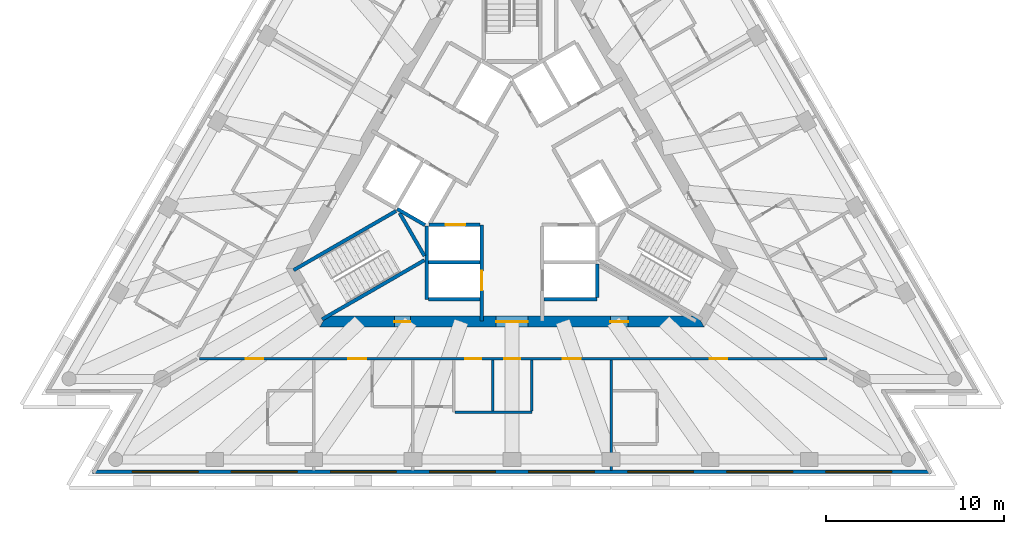
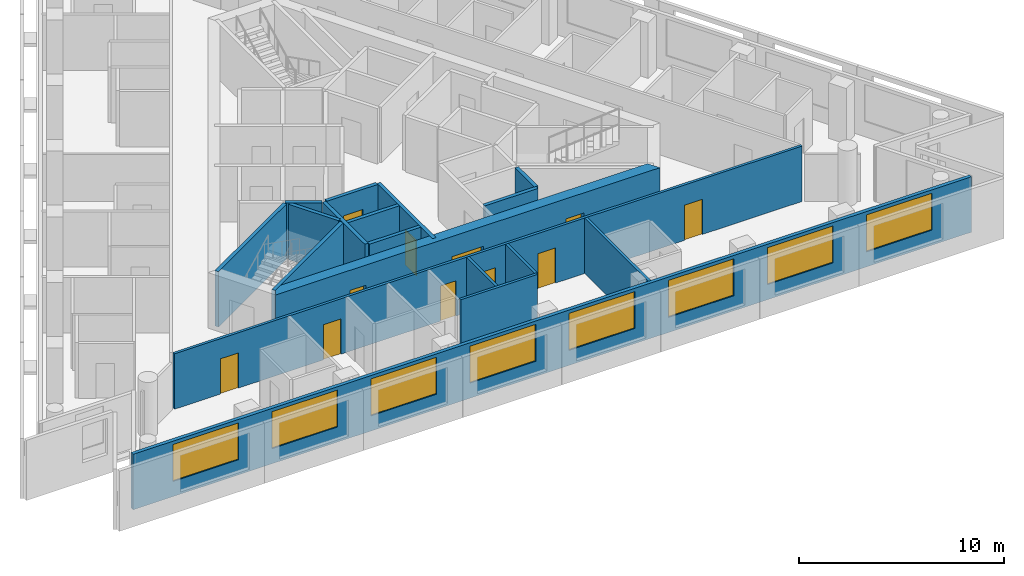
# One storey, part 3 of 10: 18 walls, 11 doors, 8 windows, 19 openings.
"""IFC4 building model written with IfcOpenShell, lengths in metres."""

from ifc_helpers import new_model, si_unit, direction, frame, frame_2d, origin, place, context, subcontext, project, spatial, polyline, rectangle, outline, extrude, material, layer, layer_set, layer_usage, type_object, element, fill, save


model = new_model("IFC4")

# Units and contexts
model_context = context("Model", 3, precision=1e-05, world=origin(), true_north=direction((0.0, 1.0)))
body_context = subcontext(model_context, "Body", "Model", "MODEL_VIEW")
ifc_project = project(units=[si_unit("LENGTHUNIT", "METRE"), si_unit("AREAUNIT", "SQUARE_METRE"), si_unit("VOLUMEUNIT", "CUBIC_METRE"), si_unit("PLANEANGLEUNIT", "RADIAN"), si_unit("MASSUNIT", "GRAM", prefix="KILO")], contexts=[model_context])

# Site, building, storey
site_placement = place(None, origin())
site = spatial("IfcSite", under=ifc_project, at=site_placement, CompositionType="ELEMENT")
building_placement = place(site_placement, origin())
building = spatial("IfcBuilding", under=site, at=building_placement, Name="Triada Interchange Tower", CompositionType="ELEMENT")
storey_placement = place(building_placement, frame((0.0, 0.0, 268.300048828125)))
storey = spatial("IfcBuildingStorey", under=building, at=storey_placement, Name="L62", CompositionType="ELEMENT", Elevation=268.300048828125)

# Walls
ifc_material_1 = material(Name="Concrete C30/37", Category="concrete")
ifc_layer_1 = layer(ifc_material_1, 0.199951171875)
ifc_layer_set_1 = layer_set([ifc_layer_1], Name="CORE WALL 200 EI 120")
wall_type_1 = type_object("IfcWallType", Name="CORE WALL 200 EI 120", PredefinedType="SOLIDWALL", material=ifc_layer_set_1)
wall_1_placement = place(storey_placement, frame((-4.800048828125, -6.89990234375, 0.0), z_axis=(0.0, 0.0, 1.0), x_axis=(0.0, 1.0, 0.0)))
element("IfcWall", 1, at=wall_1_placement, inside=storey, type_object=wall_type_1, Name="Wall L62 68", PredefinedType="SOLIDWALL", context=body_context, shape_type="SweptSolid", body=[
    extrude(rectangle(XDim=4.130859375, YDim=0.199951171875, at=frame_2d((2.0654296875, 0.0))), origin(), (0.0, 0.0, 1.0), 3.300048828125),
])
wall_2_placement = place(storey_placement, frame((-4.699951171875, -6.89990234375, 0.0), z_axis=(0.0, 0.0, 1.0), x_axis=(1.0, 0.0, 0.0)))
element("IfcWall", 2, at=wall_2_placement, inside=storey, type_object=wall_type_1, Name="Wall L62 69", PredefinedType="SOLIDWALL", context=body_context, shape_type="SweptSolid", body=[
    extrude(rectangle(XDim=2.89990234375, YDim=0.199951171875, at=frame_2d((1.449951171875, 0.0))), origin(), (0.0, 0.0, 1.0), 3.300048828125),
])
wall_3_placement = place(storey_placement, frame((1.800048828125, -6.89990234375, 0.0), z_axis=(0.0, 0.0, 1.0), x_axis=(1.0, 0.0, 0.0)))
element("IfcWall", 3, at=wall_3_placement, inside=storey, type_object=wall_type_1, Name="Wall L62 70", PredefinedType="SOLIDWALL", context=body_context, shape_type="SweptSolid", body=[
    extrude(rectangle(XDim=3.0, YDim=0.199951171875, at=frame_2d((1.5, 0.0))), origin(), (0.0, 0.0, 1.0), 3.300048828125),
])
wall_4_placement = place(storey_placement, frame((-4.699951171875, -4.800048828125, 0.0), z_axis=(0.0, 0.0, 1.0), x_axis=(1.0, 0.0, 0.0)))
element("IfcWall", 4, at=wall_4_placement, inside=storey, type_object=wall_type_1, Name="Wall L62 71", PredefinedType="SOLIDWALL", context=body_context, shape_type="SweptSolid", body=[
    extrude(rectangle(XDim=2.89990234375, YDim=0.199951171875, at=frame_2d((1.449951171875, 0.0))), origin(), (0.0, 0.0, 1.0), 3.300048828125),
])

# Wall, opening, door
wall_5_placement = place(storey_placement, frame((-1.699951171875, -8.1298828125, 0.0), z_axis=(0.0, 0.0, 1.0), x_axis=(0.0, 1.0, 0.0)))
wall_5 = element("IfcWall", 5, at=wall_5_placement, inside=storey, type_object=wall_type_1, Name="Wall L62 73", PredefinedType="SOLIDWALL", context=body_context, shape_type="SweptSolid", body=[
    extrude(rectangle(XDim=5.427001953125, YDim=0.199951171875, at=frame_2d((2.71337890625, 0.0))), origin(), (0.0, 0.0, 1.0), 3.300048828125),
])
opening_1_placement = place(wall_5_placement, frame((1.72998046875, 0.0, 0.0)))
opening_1 = element("IfcOpeningElement", 6, at=opening_1_placement, cuts=wall_5, Name="Opening LD-HR4", PredefinedType="OPENING", context=body_context, shape_type="SweptSolid", body=[
    extrude(rectangle(XDim=1.10009765625, YDim=2.10009765625, at=frame_2d((0.550048828125, 1.050048828125))), frame((0.0, 0.10986328125, 0.0), z_axis=(0.0, -1.0, 0.0), x_axis=(1.0, 0.0, 0.0)), (0.0, 0.0, 1.0), 0.219970703125),
])
ifc_material_2 = material(Name="Steel S235 door leaf", Category="steel")
door_type_1 = type_object("IfcDoorType", Name="LIFT LANDING DOOR 1100 EI 120", OperationType="SLIDING_TO_LEFT", PredefinedType="DOOR", material=ifc_material_2)
door_1_placement = place(opening_1_placement, origin())
door_1 = element("IfcDoor", 7, at=door_1_placement, inside=storey, type_object=door_type_1, Name="HR4 landing door L62", OperationType="SLIDING_TO_LEFT", OverallHeight=2.10009765625, OverallWidth=1.10009765625, PredefinedType="DOOR", context=body_context, shape_type="SweptSolid", body=[
    extrude(rectangle(XDim=1.10009765625, YDim=2.10009765625, at=frame_2d((0.550048828125, 1.050048828125))), frame((0.0, 0.02490234375, 0.0), z_axis=(0.0, -1.0, 0.0), x_axis=(1.0, 0.0, 0.0)), (0.0, 0.0, 1.0), 0.050048828125),
])
fill(opening_1, door_1)

wall_6_placement = place(storey_placement, frame((-4.676025390625, -2.699951171875, 0.0), z_axis=(0.0, 0.0, 1.0), x_axis=(1.0, 0.0, 0.0)))
wall_6 = element("IfcWall", 8, at=wall_6_placement, inside=storey, type_object=wall_type_1, Name="Wall L62 74", PredefinedType="SOLIDWALL", context=body_context, shape_type="SweptSolid", body=[
    extrude(rectangle(XDim=2.873046875, YDim=0.199951171875, at=frame_2d((1.4365234375, 0.0))), origin(), (0.0, 0.0, 1.0), 3.300048828125),
])
opening_2_placement = place(wall_6_placement, frame((0.93701171875, 0.0, 0.0)))
opening_2 = element("IfcOpeningElement", 9, at=opening_2_placement, cuts=wall_6, Name="Opening LD-HR3", PredefinedType="OPENING", context=body_context, shape_type="SweptSolid", body=[
    extrude(rectangle(XDim=1.10009765625, YDim=2.10009765625, at=frame_2d((0.550048828125, 1.050048828125))), frame((0.0, 0.10986328125, 0.0), z_axis=(0.0, -1.0, 0.0), x_axis=(1.0, 0.0, 0.0)), (0.0, 0.0, 1.0), 0.219970703125),
])
door_2_placement = place(opening_2_placement, origin())
door_2 = element("IfcDoor", 10, at=door_2_placement, inside=storey, type_object=door_type_1, Name="HR3 landing door L62", OperationType="SLIDING_TO_LEFT", OverallHeight=2.10009765625, OverallWidth=1.10009765625, PredefinedType="DOOR", context=body_context, shape_type="SweptSolid", body=[
    extrude(rectangle(XDim=1.10009765625, YDim=2.10009765625, at=frame_2d((0.550048828125, 1.050048828125))), frame((0.0, 0.02490234375, 0.0), z_axis=(0.0, -1.0, 0.0), x_axis=(1.0, 0.0, 0.0)), (0.0, 0.0, 1.0), 0.050048828125),
])
fill(opening_2, door_2)

# Walls
wall_7_placement = place(storey_placement, frame((4.800048828125, -6.800048828125, 0.0), z_axis=(0.0, 0.0, 1.0), x_axis=(0.0, 1.0, 0.0)))
element("IfcWall", 11, at=wall_7_placement, inside=storey, type_object=wall_type_1, Name="Wall L62 81", PredefinedType="SOLIDWALL", context=body_context, shape_type="SweptSolid", body=[
    extrude(rectangle(XDim=1.880126953125, YDim=0.199951171875, at=frame_2d((0.93994140625, 0.0))), origin(), (0.0, 0.0, 1.0), 3.300048828125),
])
ifc_layer_2 = layer(ifc_material_1, 0.199951171875)
ifc_layer_set_2 = layer_set([ifc_layer_2], Name="CORE WALL 200 EI 180")
wall_type_2 = type_object("IfcWallType", Name="CORE WALL 200 EI 180", PredefinedType="SOLIDWALL", material=ifc_layer_set_2)
wall_8_placement = place(storey_placement, frame((-6.469970703125, -1.806884765625, 0.0), z_axis=(0.0, 0.0, 1.0), x_axis=(0.865883195159, -0.500246231712, 0.0)))
element("IfcWall", 12, at=wall_8_placement, inside=storey, type_object=wall_type_2, Name="Shaft wall FF1 L62 100", PredefinedType="SOLIDWALL", context=body_context, shape_type="SweptSolid", body=[
    extrude(rectangle(XDim=1.8154296875, YDim=0.199951171875, at=frame_2d((0.90771484375, 0.0))), origin(), (0.0, 0.0, 1.0), 3.300048828125),
])
ifc_layer_3 = layer(ifc_material_1, 0.199951171875)
ifc_layer_set_3 = layer_set([ifc_layer_3], Name="CORE WALL 200 REI 240")
wall_type_3 = type_object("IfcWallType", Name="CORE WALL 200 REI 240", PredefinedType="SOLIDWALL", material=ifc_layer_set_3)
wall_9_placement = place(storey_placement, frame((-12.301025390625, -5.25390625, 0.0), z_axis=(0.0, 0.0, 1.0), x_axis=(0.866068467981, 0.499925403204, 0.0)))
element("IfcWall", 13, at=wall_9_placement, inside=storey, type_object=wall_type_3, Name="Wall L62 112", PredefinedType="SOLIDWALL", context=body_context, shape_type="SweptSolid", body=[
    extrude(rectangle(XDim=6.66455078125, YDim=0.199951171875, at=frame_2d((3.332275390625, 0.0))), origin(), (0.0, 0.0, 1.0), 3.300048828125),
])
wall_10_placement = place(storey_placement, frame((-6.3291015625, -2.0380859375, 0.0), z_axis=(0.0, 0.0, 1.0), x_axis=(0.500200581029, -0.865909567298, 0.0)))
element("IfcWall", 14, at=wall_10_placement, inside=storey, type_object=wall_type_3, Name="Wall L62 113", PredefinedType="SOLIDWALL", context=body_context, shape_type="SweptSolid", body=[
    extrude(rectangle(XDim=2.799072265625, YDim=0.199951171875, at=frame_2d((1.3994140625, 0.0))), origin(), (0.0, 0.0, 1.0), 3.300048828125),
])
wall_11_placement = place(storey_placement, frame((-10.700927734375, -8.02587890625, 0.0), z_axis=(0.0, 0.0, 1.0), x_axis=(0.866005022404, 0.500035299925, 0.0)))
element("IfcWall", 15, at=wall_11_placement, inside=storey, type_object=wall_type_3, Name="Wall L62 114", PredefinedType="SOLIDWALL", context=body_context, shape_type="SweptSolid", body=[
    extrude(rectangle(XDim=6.6650390625, YDim=0.199951171875, at=frame_2d((3.33251953125, 0.0))), origin(), (0.0, 0.0, 1.0), 3.300048828125),
])

# Wall, openings, doors
ifc_material_3 = material(Name="Concrete C40/50", Category="concrete")
ifc_layer_4 = layer(ifc_material_3, 0.60009765625)
ifc_layer_set_4 = layer_set([ifc_layer_4], Name="Core wall D 600")
wall_type_4 = type_object("IfcWallType", Name="Core wall D 600", PredefinedType="SHEAR", material=ifc_layer_set_4)
wall_12_placement = place(storey_placement, frame((-10.652099609375, -8.14990234375, -0.300048828125), z_axis=(0.0, 0.0, 1.0), x_axis=(1.0, 0.0, 0.0)))
wall_12 = element("IfcWall", 16, at=wall_12_placement, inside=storey, type_object=wall_type_4, Name="Core wall WD04 L62", PredefinedType="SHEAR", context=body_context, shape_type="SweptSolid", body=[
    extrude(outline(polyline([(-0.173095703125, -0.300048828125), (1.795166015625, -0.300048828125), (3.76318359375, -0.300048828125), (5.7314453125, -0.300048828125), (7.69970703125, -0.300048828125), (9.66796875, -0.300048828125), (11.635986328125, -0.300048828125), (13.604248046875, -0.300048828125), (15.572509765625, -0.300048828125), (17.540771484375, -0.300048828125), (19.5087890625, -0.300048828125), (21.47705078125, -0.300048828125), (21.131103515625, 0.300048828125), (19.225830078125, 0.300048828125), (17.320556640625, 0.300048828125), (15.415283203125, 0.300048828125), (13.510009765625, 0.300048828125), (11.604736328125, 0.300048828125), (9.699462890625, 0.300048828125), (7.794189453125, 0.300048828125), (5.888916015625, 0.300048828125), (3.983642578125, 0.300048828125), (2.078369140625, 0.300048828125), (0.173095703125, 0.300048828125), (-0.173095703125, -0.300048828125)])), origin(), (0.0, 0.0, 1.0), 3.60009765625),
])
opening_3_placement = place(wall_12_placement, frame((9.751953125, 0.0, 0.300048828125)))
opening_3 = element("IfcOpeningElement", 17, at=opening_3_placement, cuts=wall_12, Name="Opening D62-47", PredefinedType="OPENING", context=body_context, shape_type="SweptSolid", body=[
    extrude(rectangle(XDim=1.800048828125, YDim=2.10009765625, at=frame_2d((0.89990234375, 1.050048828125))), frame((0.0, 0.31005859375, 0.0), z_axis=(0.0, -1.0, 0.0), x_axis=(1.0, 0.0, 0.0)), (0.0, 0.0, 1.0), 0.6201171875),
])
opening_4_placement = place(wall_12_placement, frame((4.02587890625, 0.0, 0.300048828125)))
opening_4 = element("IfcOpeningElement", 18, at=opening_4_placement, cuts=wall_12, Name="Opening D62-53", PredefinedType="OPENING", context=body_context, shape_type="SweptSolid", body=[
    extrude(rectangle(XDim=0.89990234375, YDim=2.10009765625, at=frame_2d((0.449951171875, 1.050048828125))), frame((0.0, 0.31005859375, 0.0), z_axis=(0.0, -1.0, 0.0), x_axis=(1.0, 0.0, 0.0)), (0.0, 0.0, 1.0), 0.6201171875),
])
opening_5_placement = place(wall_12_placement, frame((16.197998046875, 0.0, 0.300048828125)))
opening_5 = element("IfcOpeningElement", 19, at=opening_5_placement, cuts=wall_12, Name="Opening D62-56", PredefinedType="OPENING", context=body_context, shape_type="SweptSolid", body=[
    extrude(rectangle(XDim=1.0, YDim=2.10009765625, at=frame_2d((0.5, 1.050048828125))), frame((0.0, 0.31005859375, 0.0), z_axis=(0.0, -1.0, 0.0), x_axis=(1.0, 0.0, 0.0)), (0.0, 0.0, 1.0), 0.6201171875),
])
door_type_2 = type_object("IfcDoorType", Name="LOBBY DOOR 1800 EI2 90-C5S200", OperationType="DOUBLE_DOOR_SINGLE_SWING", PredefinedType="DOOR", material=ifc_material_2)
door_3_placement = place(opening_3_placement, origin())
door_3 = element("IfcDoor", 20, at=door_3_placement, inside=storey, type_object=door_type_2, Name="Door D62-47 L62", OperationType="DOUBLE_DOOR_SINGLE_SWING", OverallHeight=2.10009765625, OverallWidth=1.800048828125, PredefinedType="DOOR", context=body_context, shape_type="SweptSolid", body=[
    extrude(rectangle(XDim=1.800048828125, YDim=2.10009765625, at=frame_2d((0.89990234375, 1.050048828125))), frame((0.0, 0.02490234375, 0.0), z_axis=(0.0, -1.0, 0.0), x_axis=(1.0, 0.0, 0.0)), (0.0, 0.0, 1.0), 0.050048828125),
])
fill(opening_3, door_3)
door_type_3 = type_object("IfcDoorType", Name="SERVICE DOOR 1000 EI2 45-C5S200", OperationType="NOTDEFINED", PredefinedType="DOOR", material=ifc_material_2)
door_4_placement = place(opening_5_placement, origin())
door_4 = element("IfcDoor", 21, at=door_4_placement, inside=storey, type_object=door_type_3, Name="Door D62-56 L62", OperationType="SINGLE_SWING_RIGHT", OverallHeight=2.10009765625, OverallWidth=1.0, PredefinedType="DOOR", context=body_context, shape_type="SweptSolid", body=[
    extrude(rectangle(XDim=1.0, YDim=2.10009765625, at=frame_2d((0.5, 1.050048828125))), frame((0.0, 0.02490234375, 0.0), z_axis=(0.0, -1.0, 0.0), x_axis=(1.0, 0.0, 0.0)), (0.0, 0.0, 1.0), 0.050048828125),
])
fill(opening_5, door_4)
door_type_4 = type_object("IfcDoorType", Name="SERVICE DOOR 900 EI2 45-C5S200", OperationType="NOTDEFINED", PredefinedType="DOOR", material=ifc_material_2)
door_5_placement = place(opening_4_placement, origin())
door_5 = element("IfcDoor", 22, at=door_5_placement, inside=storey, type_object=door_type_4, Name="Door D62-53 L62", OperationType="SINGLE_SWING_RIGHT", OverallHeight=2.10009765625, OverallWidth=0.89990234375, PredefinedType="DOOR", context=body_context, shape_type="SweptSolid", body=[
    extrude(rectangle(XDim=0.89990234375, YDim=2.10009765625, at=frame_2d((0.449951171875, 1.050048828125))), frame((0.0, 0.02490234375, 0.0), z_axis=(0.0, -1.0, 0.0), x_axis=(1.0, 0.0, 0.0)), (0.0, 0.0, 1.0), 0.050048828125),
])
fill(opening_4, door_5)

# Wall, openings, windows
ifc_material_4 = material(Name="Cement board")
ifc_layer_5 = layer(ifc_material_4, 0.02001953125, Name="Cement board cladding")
ifc_material_5 = material(Name="Sheathing board")
ifc_layer_6 = layer(ifc_material_5, 0.014892578125, Name="Sheathing board")
ifc_material_6 = material(Name="Mineral wool")
ifc_layer_7 = layer(ifc_material_6, 0.14990234375, Name="Mineral wool between steel studs")
ifc_material_7 = material(Name="Gypsum board")
ifc_layer_8 = layer(ifc_material_7, 0.014892578125, Name="Plasterboard lining")
ifc_layer_set_5 = layer_set([ifc_layer_5, ifc_layer_6, ifc_layer_7, ifc_layer_8], Name="External wall 200")
ifc_layer_usage = layer_usage(ifc_layer_set_5, "AXIS2", "POSITIVE", -0.10009765625)
wall_type_5 = type_object("IfcWallType", Name="External wall 200", PredefinedType="ELEMENTEDWALL", material=ifc_layer_set_5)
wall_13_placement = place(storey_placement, frame((-23.62890625, -16.616943359375, 0.0), z_axis=(0.0, 0.0, 1.0), x_axis=(1.0, 0.0, 0.0)))
wall_13 = element("IfcWall", 23, at=wall_13_placement, inside=storey, type_object=wall_type_5, material=ifc_layer_usage, Name="External wall L62 S", PredefinedType="ELEMENTEDWALL", context=body_context, shape_type="SweptSolid", body=[
    extrude(rectangle(XDim=47.23779296875, YDim=0.199951171875, at=frame_2d((23.618896484375, 0.0))), origin(), (0.0, 0.0, 1.0), 3.300048828125),
])
opening_6_placement = place(wall_13_placement, frame((2.243896484375, 0.0, 0.89990234375)))
opening_6 = element("IfcOpeningElement", 24, at=opening_6_placement, cuts=wall_13, Name="Opening WD11", PredefinedType="OPENING", context=body_context, shape_type="SweptSolid", body=[
    extrude(rectangle(XDim=3.699951171875, YDim=2.199951171875, at=frame_2d((1.85009765625, 1.10009765625))), frame((0.0, 0.10986328125, 0.0), z_axis=(0.0, -1.0, 0.0), x_axis=(1.0, 0.0, 0.0)), (0.0, 0.0, 1.0), 0.219970703125),
])
opening_7_placement = place(wall_13_placement, frame((7.824951171875, 0.0, 0.89990234375)))
opening_7 = element("IfcOpeningElement", 25, at=opening_7_placement, cuts=wall_13, Name="Opening WD12", PredefinedType="OPENING", context=body_context, shape_type="SweptSolid", body=[
    extrude(rectangle(XDim=3.699951171875, YDim=2.199951171875, at=frame_2d((1.85009765625, 1.10009765625))), frame((0.0, 0.10986328125, 0.0), z_axis=(0.0, -1.0, 0.0), x_axis=(1.0, 0.0, 0.0)), (0.0, 0.0, 1.0), 0.219970703125),
])
opening_8_placement = place(wall_13_placement, frame((13.406982421875, 0.0, 0.89990234375)))
opening_8 = element("IfcOpeningElement", 26, at=opening_8_placement, cuts=wall_13, Name="Opening WD13", PredefinedType="OPENING", context=body_context, shape_type="SweptSolid", body=[
    extrude(rectangle(XDim=3.699951171875, YDim=2.199951171875, at=frame_2d((1.85009765625, 1.10009765625))), frame((0.0, 0.10986328125, 0.0), z_axis=(0.0, -1.0, 0.0), x_axis=(1.0, 0.0, 0.0)), (0.0, 0.0, 1.0), 0.219970703125),
])
opening_9_placement = place(wall_13_placement, frame((18.988037109375, 0.0, 0.89990234375)))
opening_9 = element("IfcOpeningElement", 27, at=opening_9_placement, cuts=wall_13, Name="Opening WD14", PredefinedType="OPENING", context=body_context, shape_type="SweptSolid", body=[
    extrude(rectangle(XDim=3.699951171875, YDim=2.199951171875, at=frame_2d((1.85009765625, 1.10009765625))), frame((0.0, 0.10986328125, 0.0), z_axis=(0.0, -1.0, 0.0), x_axis=(1.0, 0.0, 0.0)), (0.0, 0.0, 1.0), 0.219970703125),
])
opening_10_placement = place(wall_13_placement, frame((24.570068359375, 0.0, 0.89990234375)))
opening_10 = element("IfcOpeningElement", 28, at=opening_10_placement, cuts=wall_13, Name="Opening WD15", PredefinedType="OPENING", context=body_context, shape_type="SweptSolid", body=[
    extrude(rectangle(XDim=3.699951171875, YDim=2.199951171875, at=frame_2d((1.85009765625, 1.10009765625))), frame((0.0, 0.10986328125, 0.0), z_axis=(0.0, -1.0, 0.0), x_axis=(1.0, 0.0, 0.0)), (0.0, 0.0, 1.0), 0.219970703125),
])
opening_11_placement = place(wall_13_placement, frame((30.15087890625, 0.0, 0.89990234375)))
opening_11 = element("IfcOpeningElement", 29, at=opening_11_placement, cuts=wall_13, Name="Opening WD16", PredefinedType="OPENING", context=body_context, shape_type="SweptSolid", body=[
    extrude(rectangle(XDim=3.699951171875, YDim=2.199951171875, at=frame_2d((1.85009765625, 1.10009765625))), frame((0.0, 0.10986328125, 0.0), z_axis=(0.0, -1.0, 0.0), x_axis=(1.0, 0.0, 0.0)), (0.0, 0.0, 1.0), 0.219970703125),
])
opening_12_placement = place(wall_13_placement, frame((35.73291015625, 0.0, 0.89990234375)))
opening_12 = element("IfcOpeningElement", 30, at=opening_12_placement, cuts=wall_13, Name="Opening WD17", PredefinedType="OPENING", context=body_context, shape_type="SweptSolid", body=[
    extrude(rectangle(XDim=3.699951171875, YDim=2.199951171875, at=frame_2d((1.85009765625, 1.10009765625))), frame((0.0, 0.10986328125, 0.0), z_axis=(0.0, -1.0, 0.0), x_axis=(1.0, 0.0, 0.0)), (0.0, 0.0, 1.0), 0.219970703125),
])
opening_13_placement = place(wall_13_placement, frame((41.31396484375, 0.0, 0.89990234375)))
opening_13 = element("IfcOpeningElement", 31, at=opening_13_placement, cuts=wall_13, Name="Opening WD18", PredefinedType="OPENING", context=body_context, shape_type="SweptSolid", body=[
    extrude(rectangle(XDim=3.699951171875, YDim=2.199951171875, at=frame_2d((1.85009765625, 1.10009765625))), frame((0.0, 0.10986328125, 0.0), z_axis=(0.0, -1.0, 0.0), x_axis=(1.0, 0.0, 0.0)), (0.0, 0.0, 1.0), 0.219970703125),
])
ifc_material_8 = material(Name="Double glazed aluminium window", Category="aluminium")
window_type = type_object("IfcWindowType", Name="Ribbon window D face", PartitioningType="SINGLE_PANEL", PredefinedType="WINDOW", material=ifc_material_8)
window_1_placement = place(opening_6_placement, origin())
window_1 = element("IfcWindow", 32, at=window_1_placement, inside=storey, type_object=window_type, Name="Window L62 S 1", OverallHeight=2.199951171875, OverallWidth=3.699951171875, PartitioningType="SINGLE_PANEL", PredefinedType="WINDOW", context=body_context, shape_type="SweptSolid", body=[
    extrude(rectangle(XDim=3.699951171875, YDim=2.199951171875, at=frame_2d((1.85009765625, 1.10009765625))), frame((0.0, 0.030029296875, 0.0), z_axis=(0.0, -1.0, 0.0), x_axis=(1.0, 0.0, 0.0)), (0.0, 0.0, 1.0), 0.06005859375),
])
fill(opening_6, window_1)
window_2_placement = place(opening_7_placement, origin())
window_2 = element("IfcWindow", 33, at=window_2_placement, inside=storey, type_object=window_type, Name="Window L62 S 2", OverallHeight=2.199951171875, OverallWidth=3.699951171875, PartitioningType="SINGLE_PANEL", PredefinedType="WINDOW", context=body_context, shape_type="SweptSolid", body=[
    extrude(rectangle(XDim=3.699951171875, YDim=2.199951171875, at=frame_2d((1.85009765625, 1.10009765625))), frame((0.0, 0.030029296875, 0.0), z_axis=(0.0, -1.0, 0.0), x_axis=(1.0, 0.0, 0.0)), (0.0, 0.0, 1.0), 0.06005859375),
])
fill(opening_7, window_2)
window_3_placement = place(opening_8_placement, origin())
window_3 = element("IfcWindow", 34, at=window_3_placement, inside=storey, type_object=window_type, Name="Window L62 S 3", OverallHeight=2.199951171875, OverallWidth=3.699951171875, PartitioningType="SINGLE_PANEL", PredefinedType="WINDOW", context=body_context, shape_type="SweptSolid", body=[
    extrude(rectangle(XDim=3.699951171875, YDim=2.199951171875, at=frame_2d((1.85009765625, 1.10009765625))), frame((0.0, 0.030029296875, 0.0), z_axis=(0.0, -1.0, 0.0), x_axis=(1.0, 0.0, 0.0)), (0.0, 0.0, 1.0), 0.06005859375),
])
fill(opening_8, window_3)
window_4_placement = place(opening_9_placement, origin())
window_4 = element("IfcWindow", 35, at=window_4_placement, inside=storey, type_object=window_type, Name="Window L62 S 4", OverallHeight=2.199951171875, OverallWidth=3.699951171875, PartitioningType="SINGLE_PANEL", PredefinedType="WINDOW", context=body_context, shape_type="SweptSolid", body=[
    extrude(rectangle(XDim=3.699951171875, YDim=2.199951171875, at=frame_2d((1.85009765625, 1.10009765625))), frame((0.0, 0.030029296875, 0.0), z_axis=(0.0, -1.0, 0.0), x_axis=(1.0, 0.0, 0.0)), (0.0, 0.0, 1.0), 0.06005859375),
])
fill(opening_9, window_4)
window_5_placement = place(opening_10_placement, origin())
window_5 = element("IfcWindow", 36, at=window_5_placement, inside=storey, type_object=window_type, Name="Window L62 S 5", OverallHeight=2.199951171875, OverallWidth=3.699951171875, PartitioningType="SINGLE_PANEL", PredefinedType="WINDOW", context=body_context, shape_type="SweptSolid", body=[
    extrude(rectangle(XDim=3.699951171875, YDim=2.199951171875, at=frame_2d((1.85009765625, 1.10009765625))), frame((0.0, 0.030029296875, 0.0), z_axis=(0.0, -1.0, 0.0), x_axis=(1.0, 0.0, 0.0)), (0.0, 0.0, 1.0), 0.06005859375),
])
fill(opening_10, window_5)
window_6_placement = place(opening_11_placement, origin())
window_6 = element("IfcWindow", 37, at=window_6_placement, inside=storey, type_object=window_type, Name="Window L62 S 6", OverallHeight=2.199951171875, OverallWidth=3.699951171875, PartitioningType="SINGLE_PANEL", PredefinedType="WINDOW", context=body_context, shape_type="SweptSolid", body=[
    extrude(rectangle(XDim=3.699951171875, YDim=2.199951171875, at=frame_2d((1.85009765625, 1.10009765625))), frame((0.0, 0.030029296875, 0.0), z_axis=(0.0, -1.0, 0.0), x_axis=(1.0, 0.0, 0.0)), (0.0, 0.0, 1.0), 0.06005859375),
])
fill(opening_11, window_6)
window_7_placement = place(opening_12_placement, origin())
window_7 = element("IfcWindow", 38, at=window_7_placement, inside=storey, type_object=window_type, Name="Window L62 S 7", OverallHeight=2.199951171875, OverallWidth=3.699951171875, PartitioningType="SINGLE_PANEL", PredefinedType="WINDOW", context=body_context, shape_type="SweptSolid", body=[
    extrude(rectangle(XDim=3.699951171875, YDim=2.199951171875, at=frame_2d((1.85009765625, 1.10009765625))), frame((0.0, 0.030029296875, 0.0), z_axis=(0.0, -1.0, 0.0), x_axis=(1.0, 0.0, 0.0)), (0.0, 0.0, 1.0), 0.06005859375),
])
fill(opening_12, window_7)
window_8_placement = place(opening_13_placement, origin())
window_8 = element("IfcWindow", 39, at=window_8_placement, inside=storey, type_object=window_type, Name="Window L62 S 8", OverallHeight=2.199951171875, OverallWidth=3.699951171875, PartitioningType="SINGLE_PANEL", PredefinedType="WINDOW", context=body_context, shape_type="SweptSolid", body=[
    extrude(rectangle(XDim=3.699951171875, YDim=2.199951171875, at=frame_2d((1.85009765625, 1.10009765625))), frame((0.0, 0.030029296875, 0.0), z_axis=(0.0, -1.0, 0.0), x_axis=(1.0, 0.0, 0.0)), (0.0, 0.0, 1.0), 0.06005859375),
])
fill(opening_13, window_8)

# Wall, openings, doors
ifc_material_9 = material(Name="Gypsum board partition")
ifc_layer_9 = layer(ifc_material_9, 0.14990234375)
ifc_layer_set_6 = layer_set([ifc_layer_9], Name="PARTITION 150 EI 180")
wall_type_6 = type_object("IfcWallType", Name="PARTITION 150 EI 180", PredefinedType="PARTITIONING", material=ifc_layer_set_6)
wall_14_placement = place(storey_placement, frame((-17.60400390625, -10.25, 0.0), z_axis=(0.0, 0.0, 1.0), x_axis=(1.0, 0.0, 0.0)))
wall_14 = element("IfcWall", 40, at=wall_14_placement, inside=storey, type_object=wall_type_6, Name="Wall L62 5", PredefinedType="PARTITIONING", context=body_context, shape_type="SweptSolid", body=[
    extrude(rectangle(XDim=35.35791015625, YDim=0.14990234375, at=frame_2d((17.678955078125, 0.0))), origin(), (0.0, 0.0, 1.0), 3.300048828125),
])
opening_14_placement = place(wall_14_placement, frame((2.60009765625, 0.0, 0.0)))
opening_14 = element("IfcOpeningElement", 41, at=opening_14_placement, cuts=wall_14, Name="Opening D62-11", PredefinedType="OPENING", context=body_context, shape_type="SweptSolid", body=[
    extrude(rectangle(XDim=1.0, YDim=2.10009765625, at=frame_2d((0.5, 1.050048828125))), frame((0.0, 0.0849609375, 0.0), z_axis=(0.0, -1.0, 0.0), x_axis=(1.0, 0.0, 0.0)), (0.0, 0.0, 1.0), 0.169921875),
])
opening_15_placement = place(wall_14_placement, frame((8.39111328125, 0.0, 0.0)))
opening_15 = element("IfcOpeningElement", 42, at=opening_15_placement, cuts=wall_14, Name="Opening D62-13", PredefinedType="OPENING", context=body_context, shape_type="SweptSolid", body=[
    extrude(rectangle(XDim=1.0, YDim=2.10009765625, at=frame_2d((0.5, 1.050048828125))), frame((0.0, 0.0849609375, 0.0), z_axis=(0.0, -1.0, 0.0), x_axis=(1.0, 0.0, 0.0)), (0.0, 0.0, 1.0), 0.169921875),
])
opening_16_placement = place(wall_14_placement, frame((20.472900390625, 0.0, 0.0)))
opening_16 = element("IfcOpeningElement", 43, at=opening_16_placement, cuts=wall_14, Name="Opening D62-15", PredefinedType="OPENING", context=body_context, shape_type="SweptSolid", body=[
    extrude(rectangle(XDim=1.0, YDim=2.10009765625, at=frame_2d((0.5, 1.050048828125))), frame((0.0, 0.0849609375, 0.0), z_axis=(0.0, -1.0, 0.0), x_axis=(1.0, 0.0, 0.0)), (0.0, 0.0, 1.0), 0.169921875),
])
opening_17_placement = place(wall_14_placement, frame((14.972900390625, 0.0, 0.0)))
opening_17 = element("IfcOpeningElement", 44, at=opening_17_placement, cuts=wall_14, Name="Opening D62-17", PredefinedType="OPENING", context=body_context, shape_type="SweptSolid", body=[
    extrude(rectangle(XDim=0.89990234375, YDim=2.10009765625, at=frame_2d((0.449951171875, 1.050048828125))), frame((0.0, 0.0849609375, 0.0), z_axis=(0.0, -1.0, 0.0), x_axis=(1.0, 0.0, 0.0)), (0.0, 0.0, 1.0), 0.169921875),
])
opening_18_placement = place(wall_14_placement, frame((17.173095703125, 0.0, 0.0)))
opening_18 = element("IfcOpeningElement", 45, at=opening_18_placement, cuts=wall_14, Name="Opening D62-18", PredefinedType="OPENING", context=body_context, shape_type="SweptSolid", body=[
    extrude(rectangle(XDim=0.89990234375, YDim=2.10009765625, at=frame_2d((0.449951171875, 1.050048828125))), frame((0.0, 0.0849609375, 0.0), z_axis=(0.0, -1.0, 0.0), x_axis=(1.0, 0.0, 0.0)), (0.0, 0.0, 1.0), 0.169921875),
])
opening_19_placement = place(wall_14_placement, frame((28.735107421875, 0.0, 0.0)))
opening_19 = element("IfcOpeningElement", 46, at=opening_19_placement, cuts=wall_14, Name="Opening D62-19", PredefinedType="OPENING", context=body_context, shape_type="SweptSolid", body=[
    extrude(rectangle(XDim=1.0, YDim=2.10009765625, at=frame_2d((0.5, 1.050048828125))), frame((0.0, 0.0849609375, 0.0), z_axis=(0.0, -1.0, 0.0), x_axis=(1.0, 0.0, 0.0)), (0.0, 0.0, 1.0), 0.169921875),
])
door_type_5 = type_object("IfcDoorType", Name="GUEST ROOM DOOR 1000 EI2 90-C5S200", OperationType="NOTDEFINED", PredefinedType="DOOR", material=ifc_material_2)
door_6_placement = place(opening_14_placement, origin())
door_6 = element("IfcDoor", 47, at=door_6_placement, inside=storey, type_object=door_type_5, Name="Door D62-11 L62", OperationType="SINGLE_SWING_RIGHT", OverallHeight=2.10009765625, OverallWidth=1.0, PredefinedType="DOOR", context=body_context, shape_type="SweptSolid", body=[
    extrude(rectangle(XDim=1.0, YDim=2.10009765625, at=frame_2d((0.5, 1.050048828125))), frame((0.0, 0.02490234375, 0.0), z_axis=(0.0, -1.0, 0.0), x_axis=(1.0, 0.0, 0.0)), (0.0, 0.0, 1.0), 0.050048828125),
])
fill(opening_14, door_6)
door_7_placement = place(opening_15_placement, origin())
door_7 = element("IfcDoor", 48, at=door_7_placement, inside=storey, type_object=door_type_5, Name="Door D62-13 L62", OperationType="SINGLE_SWING_RIGHT", OverallHeight=2.10009765625, OverallWidth=1.0, PredefinedType="DOOR", context=body_context, shape_type="SweptSolid", body=[
    extrude(rectangle(XDim=1.0, YDim=2.10009765625, at=frame_2d((0.5, 1.050048828125))), frame((0.0, 0.02490234375, 0.0), z_axis=(0.0, -1.0, 0.0), x_axis=(1.0, 0.0, 0.0)), (0.0, 0.0, 1.0), 0.050048828125),
])
fill(opening_15, door_7)
door_8_placement = place(opening_16_placement, origin())
door_8 = element("IfcDoor", 49, at=door_8_placement, inside=storey, type_object=door_type_5, Name="Door D62-15 L62", OperationType="SINGLE_SWING_RIGHT", OverallHeight=2.10009765625, OverallWidth=1.0, PredefinedType="DOOR", context=body_context, shape_type="SweptSolid", body=[
    extrude(rectangle(XDim=1.0, YDim=2.10009765625, at=frame_2d((0.5, 1.050048828125))), frame((0.0, 0.02490234375, 0.0), z_axis=(0.0, -1.0, 0.0), x_axis=(1.0, 0.0, 0.0)), (0.0, 0.0, 1.0), 0.050048828125),
])
fill(opening_16, door_8)
door_9_placement = place(opening_19_placement, origin())
door_9 = element("IfcDoor", 50, at=door_9_placement, inside=storey, type_object=door_type_5, Name="Door D62-19 L62", OperationType="SINGLE_SWING_LEFT", OverallHeight=2.10009765625, OverallWidth=1.0, PredefinedType="DOOR", context=body_context, shape_type="SweptSolid", body=[
    extrude(rectangle(XDim=1.0, YDim=2.10009765625, at=frame_2d((0.5, 1.050048828125))), frame((0.0, 0.02490234375, 0.0), z_axis=(0.0, -1.0, 0.0), x_axis=(1.0, 0.0, 0.0)), (0.0, 0.0, 1.0), 0.050048828125),
])
fill(opening_19, door_9)
door_type_6 = type_object("IfcDoorType", Name="ROOM DOOR 900 EI2 90-C5S200", OperationType="NOTDEFINED", PredefinedType="DOOR", material=ifc_material_2)
door_10_placement = place(opening_18_placement, origin())
door_10 = element("IfcDoor", 51, at=door_10_placement, inside=storey, type_object=door_type_6, Name="Door D62-18 L62", OperationType="SINGLE_SWING_RIGHT", OverallHeight=2.10009765625, OverallWidth=0.89990234375, PredefinedType="DOOR", context=body_context, shape_type="SweptSolid", body=[
    extrude(rectangle(XDim=0.89990234375, YDim=2.10009765625, at=frame_2d((0.449951171875, 1.050048828125))), frame((0.0, 0.02490234375, 0.0), z_axis=(0.0, -1.0, 0.0), x_axis=(1.0, 0.0, 0.0)), (0.0, 0.0, 1.0), 0.050048828125),
])
fill(opening_18, door_10)
door_type_7 = type_object("IfcDoorType", Name="SERVICE DOOR 900 EI2 90-C5S200", OperationType="NOTDEFINED", PredefinedType="DOOR", material=ifc_material_2)
door_11_placement = place(opening_17_placement, origin())
door_11 = element("IfcDoor", 52, at=door_11_placement, inside=storey, type_object=door_type_7, Name="Door D62-17 L62", OperationType="SINGLE_SWING_RIGHT", OverallHeight=2.10009765625, OverallWidth=0.89990234375, PredefinedType="DOOR", context=body_context, shape_type="SweptSolid", body=[
    extrude(rectangle(XDim=0.89990234375, YDim=2.10009765625, at=frame_2d((0.449951171875, 1.050048828125))), frame((0.0, 0.02490234375, 0.0), z_axis=(0.0, -1.0, 0.0), x_axis=(1.0, 0.0, 0.0)), (0.0, 0.0, 1.0), 0.050048828125),
])
fill(opening_17, door_11)

# Walls
wall_15_placement = place(storey_placement, frame((-3.2060546875, -13.25, 0.0), z_axis=(0.0, 0.0, 1.0), x_axis=(1.0, 0.0, 0.0)))
element("IfcWall", 53, at=wall_15_placement, inside=storey, type_object=wall_type_6, Name="Wall L62 18", PredefinedType="PARTITIONING", context=body_context, shape_type="SweptSolid", body=[
    extrude(rectangle(XDim=4.324951171875, YDim=0.14990234375, at=frame_2d((2.16259765625, 0.0))), origin(), (0.0, 0.0, 1.0), 3.300048828125),
])
for number, where, z_axis, x_axis, name in (
    (54, (1.118896484375, -13.175048828125, 0.0), (0.0, 0.0, 1.0), (0.0, 1.0, 0.0), "Wall L62 19"),
    (55, (-1.0810546875, -13.175048828125, 0.0), (0.0, 0.0, 1.0), (0.0, 1.0, 0.0), "Wall L62 20"),
):
    element("IfcWall", number, at=place(storey_placement, frame(where, z_axis=z_axis, x_axis=x_axis)), inside=storey, type_object=wall_type_6, Name=name, PredefinedType="PARTITIONING", context=body_context, shape_type="SweptSolid", body=[
        extrude(rectangle(XDim=2.85009765625, YDim=0.14990234375, at=frame_2d((1.425048828125, 0.0))), origin(), (0.0, 0.0, 1.0), 3.300048828125),
    ])
wall_16_placement = place(storey_placement, frame((5.5810546875, -16.537109375, 0.0), z_axis=(0.0, 0.0, 1.0), x_axis=(0.0, 1.0, 0.0)))
element("IfcWall", 56, at=wall_16_placement, inside=storey, type_object=wall_type_6, Name="Wall L62 26", PredefinedType="PARTITIONING", context=body_context, shape_type="SweptSolid", body=[
    extrude(rectangle(XDim=6.212158203125, YDim=0.14990234375, at=frame_2d((3.10595703125, 0.0))), origin(), (0.0, 0.0, 1.0), 3.300048828125),
])

save(model, "model.ifc")
